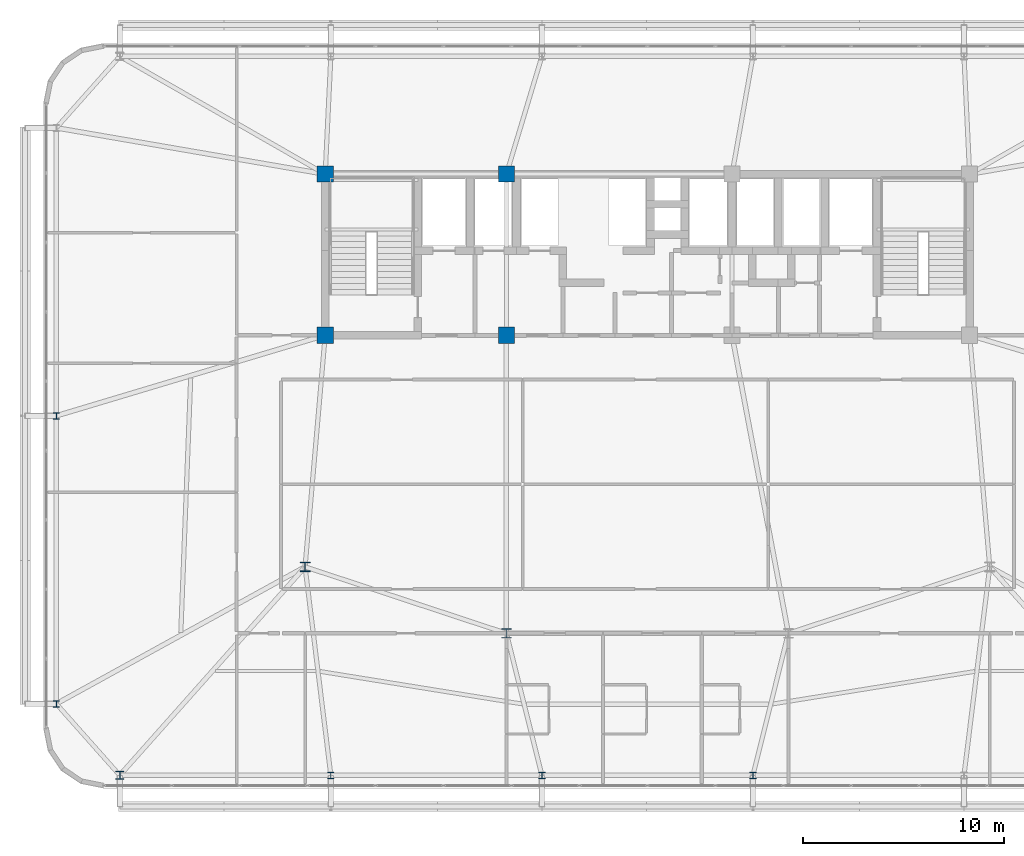
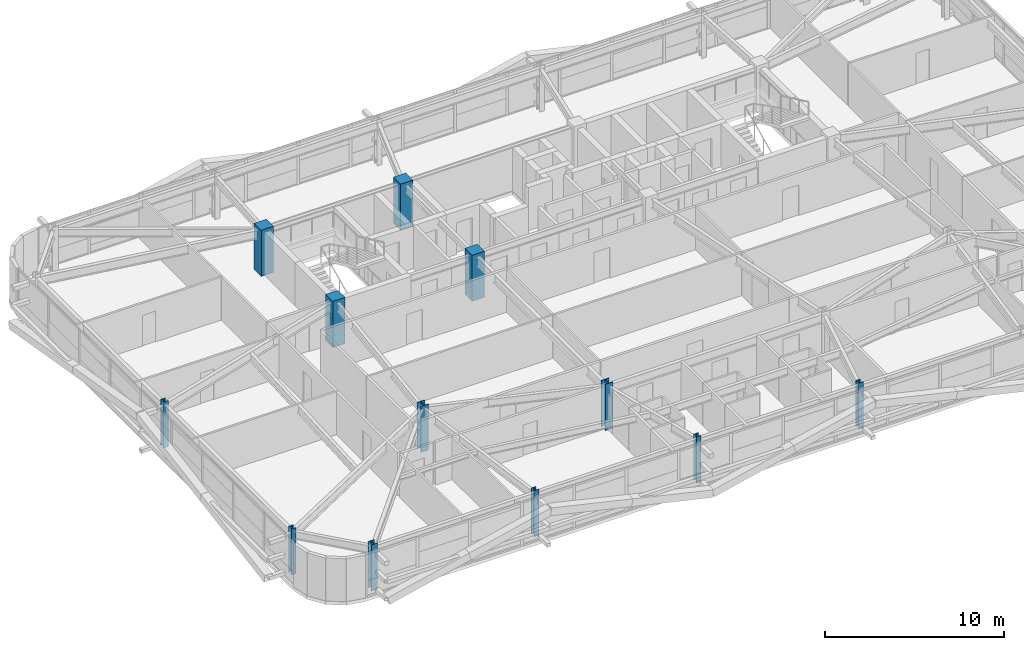
# One storey, part 1 of 59: 12 columns.
"""IFC4 building model written with IfcOpenShell, lengths in metres."""

import ifcopenshell
import ifcopenshell.guid

model = None  # the IFC model being written
_history = None  # IfcOwnerHistory: only IFC2X3 demands one
_inside = {}  # id of a spatial element -> (the spatial element, [elements in it])
_under = {}  # id of a project, library or spatial element -> (it, [spatial elements below it])
_declared = {}  # id of a project -> (the project, [libraries it declares])
_typed = {}  # id of a type object -> (the type object, [elements of that type])
_made_of = {}  # id of a material, layer set ... -> (it, [elements and type objects made of it])


def new_model(schema):
    """Start an empty IFC model of exactly this schema.

    Asked for "IFC4X3", IfcOpenShell would pick the latest addendum, in which some entities
    have other attributes; the version numbers below select the first issue.
    IFC2X3 requires an IfcOwnerHistory on every rooted entity: one is made here for all.
    """
    global model, _history
    if schema == "IFC4X3":
        model = ifcopenshell.file(schema_version=(4, 3, 0, 0))
    else:
        model = ifcopenshell.file(schema=schema)
    _inside.clear()
    _under.clear()
    _declared.clear()
    _typed.clear()
    _made_of.clear()
    _history = None
    if model.schema == "IFC2X3":
        org = make("IfcOrganization", Name="unknown")
        user = make(
            "IfcPersonAndOrganization",
            ThePerson=make("IfcPerson", FamilyName="unknown"),
            TheOrganization=org,
        )
        app = make(
            "IfcApplication",
            ApplicationDeveloper=org,
            Version="unknown",
            ApplicationFullName="unknown",
            ApplicationIdentifier="unknown",
        )
        _history = make(
            "IfcOwnerHistory",
            OwningUser=user,
            OwningApplication=app,
            ChangeAction="ADDED",
            CreationDate=0,
        )
    return model


def make(cls, **values):
    """One entity of the class cls with the attributes given. An attribute that is None is left unset."""
    return model.create_entity(
        cls, **{name: value for name, value in values.items() if value is not None}
    )


def rooted(cls, **values):
    """An entity with a GlobalId (a new one), such as an element, a storey or a relation."""
    return make(cls, GlobalId=ifcopenshell.guid.new(), OwnerHistory=_history, **values)


def si_unit(unit_type, name, prefix=None):
    """IfcSIUnit, for example si_unit("LENGTHUNIT", "METRE", prefix="MILLI")."""
    return make("IfcSIUnit", UnitType=unit_type, Prefix=prefix, Name=name)


def assignment(units):
    """IfcUnitAssignment: the units of a project."""
    return None if units is None else make("IfcUnitAssignment", Units=units)


def point(xyz):
    """IfcCartesianPoint."""
    return None if xyz is None else make("IfcCartesianPoint", Coordinates=xyz)


def direction(xyz):
    """IfcDirection."""
    return None if xyz is None else make("IfcDirection", DirectionRatios=xyz)


def frame(location, z_axis=None, x_axis=None):
    """IfcAxis2Placement3D, a coordinate frame: its origin and axes. An axis left out is left unset."""
    return make(
        "IfcAxis2Placement3D",
        Location=point(location),
        Axis=direction(z_axis),
        RefDirection=direction(x_axis),
    )


def frame_2d(location, x_axis=None):
    """IfcAxis2Placement2D, a coordinate frame in the plane: its origin and x axis."""
    return make(
        "IfcAxis2Placement2D", Location=point(location), RefDirection=direction(x_axis)
    )


def origin():
    """The frame at (0, 0, 0) with its axes left unset."""
    return frame((0.0, 0.0, 0.0))


def origin_2d():
    """The frame at (0, 0) in the plane with its x axis left unset."""
    return frame_2d((0.0, 0.0))


def place(relative_to, where):
    """IfcLocalPlacement: puts the frame where relative to a parent placement (None: the world)."""
    return make(
        "IfcLocalPlacement", PlacementRelTo=relative_to, RelativePlacement=where
    )


def context(
    kind, dimensions, precision=None, world=None, true_north=None, identifier=None
):
    """IfcGeometricRepresentationContext, for example the 3D "Model" context."""
    return make(
        "IfcGeometricRepresentationContext",
        ContextIdentifier=identifier,
        ContextType=kind,
        CoordinateSpaceDimension=dimensions,
        Precision=precision,
        WorldCoordinateSystem=world,
        TrueNorth=true_north,
    )


def subcontext(parent, identifier, kind, view, scale=None):
    """IfcGeometricRepresentationSubContext, for example "Body" below "Model"."""
    return make(
        "IfcGeometricRepresentationSubContext",
        ContextIdentifier=identifier,
        ContextType=kind,
        ParentContext=parent,
        TargetScale=scale,
        TargetView=view,
    )


def project(units=None, contexts=None):
    """IfcProject with its units and contexts."""
    return rooted(
        "IfcProject",
        Name="project",
        RepresentationContexts=contexts,
        UnitsInContext=assignment(units),
    )


def spatial(cls, under=None, at=None, **own):
    """A site, building, storey or space (cls), placed at a placement, below another one or the project."""
    s = rooted(cls, ObjectPlacement=at, **own)
    if under is not None:
        _under.setdefault(under.id(), (under, []))[1].append(s)
    return s


def profile(cls, at=None, kind="AREA", **sizes):
    """A parametric profile (cls). Its sizes go by their IFC names, for example OverallWidth=200.0."""
    return make(cls, ProfileType=kind, Position=at, **sizes)


def rectangle(**sizes):
    """IfcRectangleProfileDef."""
    return profile("IfcRectangleProfileDef", **sizes)


def i_section(**sizes):
    """IfcIShapeProfileDef."""
    return profile("IfcIShapeProfileDef", **sizes)


def extrude(swept, where, along, depth):
    """IfcExtrudedAreaSolid: the profile swept, set in the frame where, extruded along a direction by depth."""
    return make(
        "IfcExtrudedAreaSolid",
        SweptArea=swept,
        Position=where,
        ExtrudedDirection=direction(along),
        Depth=depth,
    )


def shape(context_of_items, identifier, shape_type, items):
    """IfcShapeRepresentation: the items that make up one representation, for example the "Body"."""
    return make(
        "IfcShapeRepresentation",
        ContextOfItems=context_of_items,
        RepresentationIdentifier=identifier,
        RepresentationType=shape_type,
        Items=items,
    )


def source(mapping_origin, context_of_items, identifier, shape_type, items):
    """IfcRepresentationMap: a shape defined once, which mapped items show again and again."""
    return make(
        "IfcRepresentationMap",
        MappingOrigin=mapping_origin,
        MappedRepresentation=shape(context_of_items, identifier, shape_type, items),
    )


def transform(
    local_origin,
    x_axis=None,
    y_axis=None,
    z_axis=None,
    scale=None,
    scale2=None,
    scale3=None,
    uniform=True,
):
    """IfcCartesianTransformationOperator3D, or its non-uniform kind. x_axis, y_axis, z_axis: its Axis1, 2, 3."""
    if uniform:
        return make(
            "IfcCartesianTransformationOperator3D",
            Axis1=direction(x_axis),
            Axis2=direction(y_axis),
            LocalOrigin=point(local_origin),
            Scale=scale,
            Axis3=direction(z_axis),
        )
    return make(
        "IfcCartesianTransformationOperator3DnonUniform",
        Axis1=direction(x_axis),
        Axis2=direction(y_axis),
        LocalOrigin=point(local_origin),
        Scale=scale,
        Axis3=direction(z_axis),
        Scale2=scale2,
        Scale3=scale3,
    )


def mapped(mapping_source, mapping_target):
    """IfcMappedItem: shows the shape of a source again, moved by a transform."""
    return make(
        "IfcMappedItem", MappingSource=mapping_source, MappingTarget=mapping_target
    )


def material(Name=None, Category=None):
    """IfcMaterial."""
    return make("IfcMaterial", Name=Name, Category=Category)


def material_profile(
    of_material, cross_section, Name=None, Category=None, Priority=None
):
    """IfcMaterialProfile: a cross section and its material."""
    return make(
        "IfcMaterialProfile",
        Name=Name,
        Material=of_material,
        Profile=cross_section,
        Priority=Priority,
        Category=Category,
    )


def profile_set(profiles, Name=None, composite=None):
    """IfcMaterialProfileSet."""
    return make(
        "IfcMaterialProfileSet",
        Name=Name,
        MaterialProfiles=profiles,
        CompositeProfile=composite,
    )


def made_of(thing, what):
    """Note that an element or type object is made of a material, layer set ...; save() writes the relation."""
    if what is not None:
        _made_of.setdefault(what.id(), (what, []))[1].append(thing)
    return thing


def type_object(cls, material=None, **own):
    """A type object (cls), such as IfcWallType, which elements share."""
    return made_of(rooted(cls, **own), material)


def element(
    cls,
    number,
    at=None,
    inside=None,
    cuts=None,
    type_object=None,
    material=None,
    context=None,
    identifier="Body",
    shape_type=None,
    held_by="IfcProductDefinitionShape",
    body=None,
    shapes=None,
    **own,
):
    """One element of the class cls, such as IfcWall. Its Tag is "e" and its number.

    at: its placement. inside: the storey or other place that contains it. cuts: it is an
    opening in that element (IfcRelVoidsElement). A single representation is given by context,
    identifier, shape_type and body (its items); several are given by shapes. held_by: the class
    of the entity that holds the representations. save() writes the other relations.
    """
    e = rooted(cls, Tag="e%d" % number, ObjectPlacement=at, **own)
    if body is not None:
        shapes = [shape(context, identifier, shape_type, body)]
    if shapes is not None:
        e.Representation = make(held_by, Representations=shapes)
    if inside is not None:
        _inside.setdefault(inside.id(), (inside, []))[1].append(e)
    if cuts is not None:
        rooted(
            "IfcRelVoidsElement", RelatingBuildingElement=cuts, RelatedOpeningElement=e
        )
    if type_object is not None:
        _typed.setdefault(type_object.id(), (type_object, []))[1].append(e)
    return made_of(e, material)


def aggregate(whole, parts):
    """IfcRelAggregates: a whole, such as a stair, and the parts it consists of."""
    return rooted("IfcRelAggregates", RelatingObject=whole, RelatedObjects=parts)


def save(model, path):
    """Write the relations noted so far, then the file.

    IfcRelAggregates (storeys below a building ...), IfcRelContainedInSpatialStructure (elements
    in a storey), IfcRelDefinesByType, IfcRelAssociatesMaterial and IfcRelDeclares: one each for
    every whole, place, type object, material and project.
    """
    for whole, parts in _under.values():
        aggregate(whole, parts)
    for where, things in _inside.values():
        rooted(
            "IfcRelContainedInSpatialStructure",
            RelatedElements=things,
            RelatingStructure=where,
        )
    for kind, things in _typed.values():
        rooted("IfcRelDefinesByType", RelatedObjects=things, RelatingType=kind)
    for what, things in _made_of.values():
        rooted("IfcRelAssociatesMaterial", RelatedObjects=things, RelatingMaterial=what)
    for by, libraries in _declared.values():
        rooted("IfcRelDeclares", RelatingContext=by, RelatedDefinitions=libraries)
    model.write(path)


model = new_model("IFC4")

# Units and contexts
model_context = context("Model", 3, precision=1e-05, world=origin(), true_north=direction((0.0, 1.0)))
body_context = subcontext(model_context, "Body", "Model", "MODEL_VIEW")
ifc_project = project(units=[si_unit("LENGTHUNIT", "METRE"), si_unit("AREAUNIT", "SQUARE_METRE"), si_unit("VOLUMEUNIT", "CUBIC_METRE"), si_unit("PLANEANGLEUNIT", "RADIAN"), si_unit("MASSUNIT", "GRAM", prefix="KILO")], contexts=[model_context])

# Site, building, storey
site_placement = place(None, origin())
site = spatial("IfcSite", under=ifc_project, at=site_placement, CompositionType="ELEMENT")
building_placement = place(site_placement, origin())
building = spatial("IfcBuilding", under=site, at=building_placement, Name="Taldren Reach Tower", CompositionType="ELEMENT")
storey_placement = place(building_placement, frame((0.0, 0.0, 48.300048828125)))
storey = spatial("IfcBuildingStorey", under=building, at=storey_placement, Name="L14", CompositionType="ELEMENT", Elevation=48.300048828125)

# Columns
ifc_material_1 = material(Name="Steel Gr 350 (350PLUS)", Category="steel")
ifc_material_profile_1 = material_profile(ifc_material_1, i_section(OverallWidth=0.5, OverallDepth=0.47998046875, WebThickness=0.028076171875, FlangeThickness=0.0439453125, at=origin_2d()), Name="500WC440")
ifc_profile_set_1 = profile_set([ifc_material_profile_1], Name="Steel Gr 350 (350PLUS)")
column_type_1 = type_object("IfcColumnType", Name="COL-WC500A", PredefinedType="COLUMN", material=ifc_profile_set_1)
shared_shape_1 = source(origin(), body_context, "Body", "SweptSolid", [
    extrude(i_section(OverallWidth=0.5, OverallDepth=0.47998046875, WebThickness=0.028076171875, FlangeThickness=0.0439453125, at=origin_2d()), origin(), (0.0, 0.0, 1.0), 3.14990234375),
])
column_1_placement = place(storey_placement, frame((28.0, 9.199951171875, 0.0), z_axis=(0.0, 0.0, 1.0), x_axis=(1.0, 0.0, 0.0)))
element("IfcColumn", 1, at=column_1_placement, inside=storey, type_object=column_type_1, Name="Mega column MC-PJW L14", PredefinedType="COLUMN", context=body_context, shape_type="MappedRepresentation", body=[
    mapped(shared_shape_1, transform((0.0, 0.0, 0.0), scale=1.0)),
])
ifc_material_profile_2 = material_profile(ifc_material_1, i_section(OverallWidth=0.39990234375, OverallDepth=0.39599609375, WebThickness=0.02197265625, FlangeThickness=0.033935546875, at=origin_2d()), Name="400WC270")
ifc_profile_set_2 = profile_set([ifc_material_profile_2], Name="Steel Gr 350 (350PLUS)")
column_type_2 = type_object("IfcColumnType", Name="COL-WC400", PredefinedType="COLUMN", material=ifc_profile_set_2)
shared_shape_2 = source(origin(), body_context, "Body", "SweptSolid", [
    extrude(i_section(OverallWidth=0.39990234375, OverallDepth=0.39599609375, WebThickness=0.02197265625, FlangeThickness=0.033935546875, at=origin_2d()), origin(), (0.0, 0.0, 1.0), 3.14990234375),
])
column_2_placement = place(storey_placement, frame((8.800048828125, 2.14990234375, 0.0), z_axis=(0.0, 0.0, 1.0), x_axis=(1.0, 0.0, 0.0)))
element("IfcColumn", 2, at=column_2_placement, inside=storey, type_object=column_type_2, Name="Block B1 perimeter column S1 L14", PredefinedType="COLUMN", context=body_context, shape_type="MappedRepresentation", body=[
    mapped(shared_shape_2, transform((0.0, 0.0, 0.0), scale=1.0)),
])
ifc_material_profile_3 = material_profile(ifc_material_1, i_section(OverallWidth=0.31103515625, OverallDepth=0.326904296875, WebThickness=0.015625, FlangeThickness=0.02490234375, at=origin_2d()), Name="310UC158")
ifc_profile_set_3 = profile_set([ifc_material_profile_3], Name="Steel Gr 350 (350PLUS)")
column_type_3 = type_object("IfcColumnType", Name="COL-UC310A", PredefinedType="COLUMN", material=ifc_profile_set_3)
shared_shape_3 = source(origin(), body_context, "Body", "SweptSolid", [
    extrude(i_section(OverallWidth=0.31103515625, OverallDepth=0.326904296875, WebThickness=0.015625, FlangeThickness=0.02490234375, at=origin_2d()), origin(), (0.0, 0.0, 1.0), 3.14990234375),
])
for number, where, z_axis, x_axis, name in (
    (3, (19.280029296875, 2.14990234375, 0.0), (0.0, 0.0, 1.0), (1.0, 0.0, 0.0), "Block B1 perimeter column S2 L14"),
    (4, (29.760009765625, 2.14990234375, 0.0), (0.0, 0.0, 1.0), (1.0, 0.0, 0.0), "Block B1 perimeter column S3 L14"),
    (5, (40.239990234375, 2.14990234375, 0.0), (0.0, 0.0, 1.0), (1.0, 0.0, 0.0), "Block B1 perimeter column S4 L14"),
    (6, (5.64990234375, 5.699951171875, 0.0), (0.0, 0.0, 1.0), (1.0, 0.0, 0.0), "Block B1 perimeter column W1 L14"),
    (7, (5.64990234375, 20.0, 0.0), (0.0, 0.0, 1.0), (1.0, 0.0, 0.0), "Block B1 perimeter column W2 L14"),
):
    element("IfcColumn", number, at=place(storey_placement, frame(where, z_axis=z_axis, x_axis=x_axis)), inside=storey, type_object=column_type_3, Name=name, PredefinedType="COLUMN", context=body_context, shape_type="MappedRepresentation", body=[
        mapped(shared_shape_3, transform((0.0, 0.0, 0.0), scale=1.0)),
    ])
ifc_material_2 = material(Name="Concrete S65 (65 MPa)", Category="concrete")
ifc_material_profile_4 = material_profile(ifc_material_2, rectangle(XDim=0.800048828125, YDim=0.800048828125, at=origin_2d()), Name="RC-800x800")
ifc_profile_set_4 = profile_set([ifc_material_profile_4], Name="Concrete S65 (65 MPa)")
column_type_4 = type_object("IfcColumnType", Name="COL-RC800", PredefinedType="COLUMN", material=ifc_profile_set_4)
shared_shape_4 = source(origin(), body_context, "Body", "SweptSolid", [
    extrude(rectangle(XDim=0.800048828125, YDim=0.800048828125, at=origin_2d()), origin(), (0.0, 0.0, 1.0), 3.14990234375),
])
for number, where, z_axis, x_axis, name in (
    (8, (19.0, 24.0, 0.0), (0.0, 0.0, 1.0), (1.0, 0.0, 0.0), "Mega column MC-C1 L14"),
    (9, (28.0, 24.0, 0.0), (0.0, 0.0, 1.0), (1.0, 0.0, 0.0), "Mega column MC-C2 L14"),
    (10, (19.0, 32.0, 0.0), (0.0, 0.0, 1.0), (1.0, 0.0, 0.0), "Mega column MC-C5 L14"),
    (11, (28.0, 32.0, 0.0), (0.0, 0.0, 1.0), (1.0, 0.0, 0.0), "Mega column MC-C6 L14"),
):
    element("IfcColumn", number, at=place(storey_placement, frame(where, z_axis=z_axis, x_axis=x_axis)), inside=storey, type_object=column_type_4, Name=name, PredefinedType="COLUMN", context=body_context, shape_type="MappedRepresentation", body=[
        mapped(shared_shape_4, transform((0.0, 0.0, 0.0), scale=1.0)),
    ])
ifc_material_profile_5 = material_profile(ifc_material_1, i_section(OverallWidth=0.5, OverallDepth=0.464111328125, WebThickness=0.02197265625, FlangeThickness=0.033935546875, at=origin_2d()), Name="500WC340")
ifc_profile_set_5 = profile_set([ifc_material_profile_5], Name="Steel Gr 350 (350PLUS)")
column_type_5 = type_object("IfcColumnType", Name="COL-WC500B", PredefinedType="COLUMN", material=ifc_profile_set_5)
shared_shape_5 = source(origin(), body_context, "Body", "SweptSolid", [
    extrude(i_section(OverallWidth=0.5, OverallDepth=0.464111328125, WebThickness=0.02197265625, FlangeThickness=0.033935546875, at=origin_2d()), origin(), (0.0, 0.0, 1.0), 3.14990234375),
])
column_3_placement = place(storey_placement, frame((18.0, 12.5, 0.0), z_axis=(0.0, 0.0, 1.0), x_axis=(1.0, 0.0, 0.0)))
element("IfcColumn", 12, at=column_3_placement, inside=storey, type_object=column_type_5, Name="Mega column MC-SW L14", PredefinedType="COLUMN", context=body_context, shape_type="MappedRepresentation", body=[
    mapped(shared_shape_5, transform((0.0, 0.0, 0.0), scale=1.0)),
])

save(model, "model.ifc")
